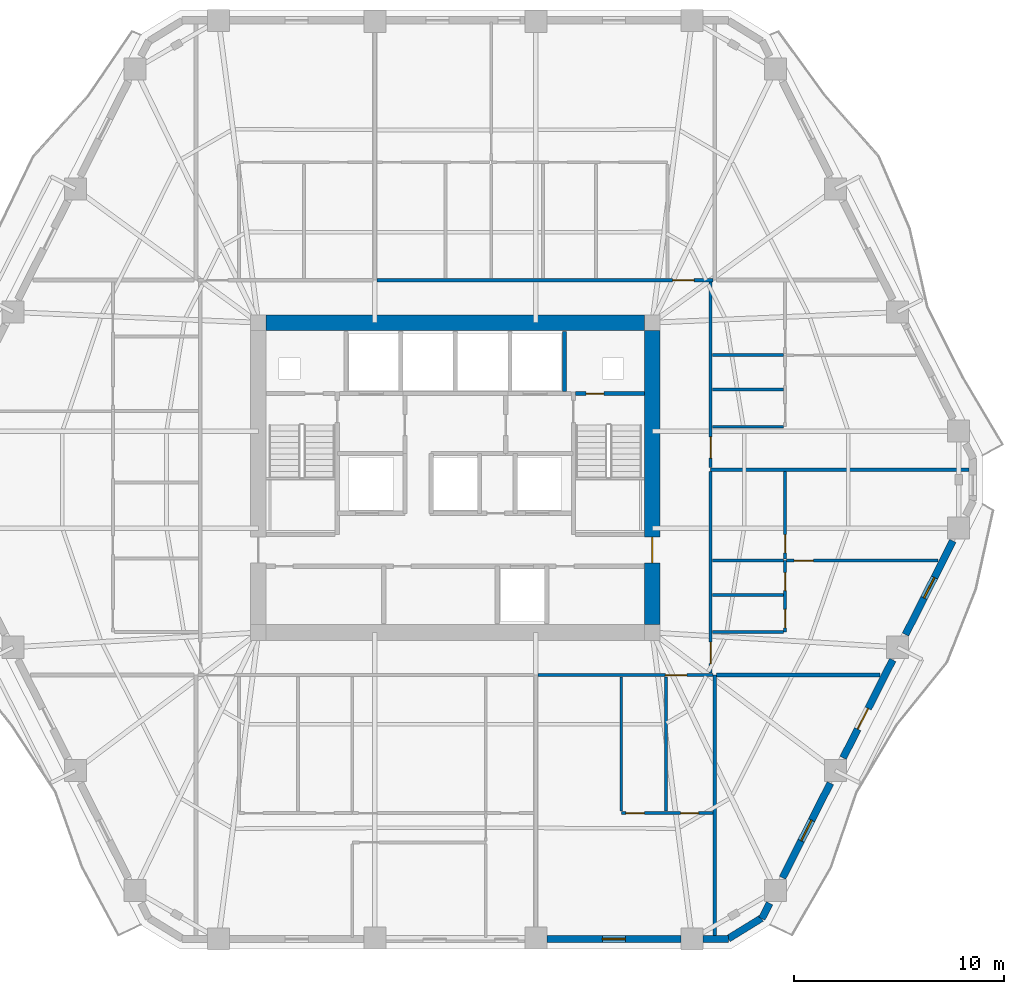
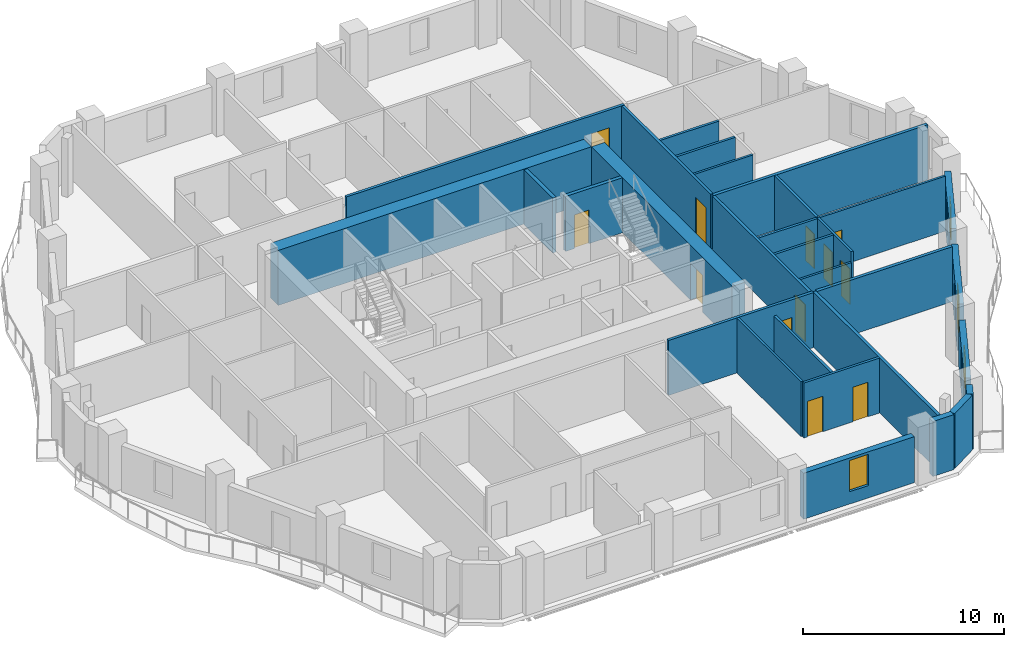
# One storey, part 6 of 11: 30 walls, 13 doors, 3 windows, 16 openings.
"""IFC4 building model written with IfcOpenShell, lengths in metres."""

import ifcopenshell
import ifcopenshell.guid

model = None  # the IFC model being written
_history = None  # IfcOwnerHistory: only IFC2X3 demands one
_inside = {}  # id of a spatial element -> (the spatial element, [elements in it])
_under = {}  # id of a project, library or spatial element -> (it, [spatial elements below it])
_declared = {}  # id of a project -> (the project, [libraries it declares])
_typed = {}  # id of a type object -> (the type object, [elements of that type])
_made_of = {}  # id of a material, layer set ... -> (it, [elements and type objects made of it])


def new_model(schema):
    """Start an empty IFC model of exactly this schema.

    Asked for "IFC4X3", IfcOpenShell would pick the latest addendum, in which some entities
    have other attributes; the version numbers below select the first issue.
    IFC2X3 requires an IfcOwnerHistory on every rooted entity: one is made here for all.
    """
    global model, _history
    if schema == "IFC4X3":
        model = ifcopenshell.file(schema_version=(4, 3, 0, 0))
    else:
        model = ifcopenshell.file(schema=schema)
    _inside.clear()
    _under.clear()
    _declared.clear()
    _typed.clear()
    _made_of.clear()
    _history = None
    if model.schema == "IFC2X3":
        org = make("IfcOrganization", Name="unknown")
        user = make(
            "IfcPersonAndOrganization",
            ThePerson=make("IfcPerson", FamilyName="unknown"),
            TheOrganization=org,
        )
        app = make(
            "IfcApplication",
            ApplicationDeveloper=org,
            Version="unknown",
            ApplicationFullName="unknown",
            ApplicationIdentifier="unknown",
        )
        _history = make(
            "IfcOwnerHistory",
            OwningUser=user,
            OwningApplication=app,
            ChangeAction="ADDED",
            CreationDate=0,
        )
    return model


def make(cls, **values):
    """One entity of the class cls with the attributes given. An attribute that is None is left unset."""
    return model.create_entity(
        cls, **{name: value for name, value in values.items() if value is not None}
    )


def rooted(cls, **values):
    """An entity with a GlobalId (a new one), such as an element, a storey or a relation."""
    return make(cls, GlobalId=ifcopenshell.guid.new(), OwnerHistory=_history, **values)


def si_unit(unit_type, name, prefix=None):
    """IfcSIUnit, for example si_unit("LENGTHUNIT", "METRE", prefix="MILLI")."""
    return make("IfcSIUnit", UnitType=unit_type, Prefix=prefix, Name=name)


def assignment(units):
    """IfcUnitAssignment: the units of a project."""
    return None if units is None else make("IfcUnitAssignment", Units=units)


def point(xyz):
    """IfcCartesianPoint."""
    return None if xyz is None else make("IfcCartesianPoint", Coordinates=xyz)


def direction(xyz):
    """IfcDirection."""
    return None if xyz is None else make("IfcDirection", DirectionRatios=xyz)


def frame(location, z_axis=None, x_axis=None):
    """IfcAxis2Placement3D, a coordinate frame: its origin and axes. An axis left out is left unset."""
    return make(
        "IfcAxis2Placement3D",
        Location=point(location),
        Axis=direction(z_axis),
        RefDirection=direction(x_axis),
    )


def frame_2d(location, x_axis=None):
    """IfcAxis2Placement2D, a coordinate frame in the plane: its origin and x axis."""
    return make(
        "IfcAxis2Placement2D", Location=point(location), RefDirection=direction(x_axis)
    )


def origin():
    """The frame at (0, 0, 0) with its axes left unset."""
    return frame((0.0, 0.0, 0.0))


def place(relative_to, where):
    """IfcLocalPlacement: puts the frame where relative to a parent placement (None: the world)."""
    return make(
        "IfcLocalPlacement", PlacementRelTo=relative_to, RelativePlacement=where
    )


def context(
    kind, dimensions, precision=None, world=None, true_north=None, identifier=None
):
    """IfcGeometricRepresentationContext, for example the 3D "Model" context."""
    return make(
        "IfcGeometricRepresentationContext",
        ContextIdentifier=identifier,
        ContextType=kind,
        CoordinateSpaceDimension=dimensions,
        Precision=precision,
        WorldCoordinateSystem=world,
        TrueNorth=true_north,
    )


def subcontext(parent, identifier, kind, view, scale=None):
    """IfcGeometricRepresentationSubContext, for example "Body" below "Model"."""
    return make(
        "IfcGeometricRepresentationSubContext",
        ContextIdentifier=identifier,
        ContextType=kind,
        ParentContext=parent,
        TargetScale=scale,
        TargetView=view,
    )


def project(units=None, contexts=None):
    """IfcProject with its units and contexts."""
    return rooted(
        "IfcProject",
        Name="project",
        RepresentationContexts=contexts,
        UnitsInContext=assignment(units),
    )


def spatial(cls, under=None, at=None, **own):
    """A site, building, storey or space (cls), placed at a placement, below another one or the project."""
    s = rooted(cls, ObjectPlacement=at, **own)
    if under is not None:
        _under.setdefault(under.id(), (under, []))[1].append(s)
    return s


def profile(cls, at=None, kind="AREA", **sizes):
    """A parametric profile (cls). Its sizes go by their IFC names, for example OverallWidth=200.0."""
    return make(cls, ProfileType=kind, Position=at, **sizes)


def rectangle(**sizes):
    """IfcRectangleProfileDef."""
    return profile("IfcRectangleProfileDef", **sizes)


def extrude(swept, where, along, depth):
    """IfcExtrudedAreaSolid: the profile swept, set in the frame where, extruded along a direction by depth."""
    return make(
        "IfcExtrudedAreaSolid",
        SweptArea=swept,
        Position=where,
        ExtrudedDirection=direction(along),
        Depth=depth,
    )


def shape(context_of_items, identifier, shape_type, items):
    """IfcShapeRepresentation: the items that make up one representation, for example the "Body"."""
    return make(
        "IfcShapeRepresentation",
        ContextOfItems=context_of_items,
        RepresentationIdentifier=identifier,
        RepresentationType=shape_type,
        Items=items,
    )


def material(Name=None, Category=None):
    """IfcMaterial."""
    return make("IfcMaterial", Name=Name, Category=Category)


def layer(
    of_material, thickness, ventilated=None, Name=None, Category=None, Priority=None
):
    """IfcMaterialLayer: one layer of a wall or slab, of a material (None: an air gap)."""
    return make(
        "IfcMaterialLayer",
        Material=of_material,
        LayerThickness=thickness,
        IsVentilated=ventilated,
        Name=Name,
        Category=Category,
        Priority=Priority,
    )


def layer_set(layers, Name=None):
    """IfcMaterialLayerSet."""
    return make("IfcMaterialLayerSet", MaterialLayers=layers, LayerSetName=Name)


def made_of(thing, what):
    """Note that an element or type object is made of a material, layer set ...; save() writes the relation."""
    if what is not None:
        _made_of.setdefault(what.id(), (what, []))[1].append(thing)
    return thing


def type_object(cls, material=None, **own):
    """A type object (cls), such as IfcWallType, which elements share."""
    return made_of(rooted(cls, **own), material)


def element(
    cls,
    number,
    at=None,
    inside=None,
    cuts=None,
    type_object=None,
    material=None,
    context=None,
    identifier="Body",
    shape_type=None,
    held_by="IfcProductDefinitionShape",
    body=None,
    shapes=None,
    **own,
):
    """One element of the class cls, such as IfcWall. Its Tag is "e" and its number.

    at: its placement. inside: the storey or other place that contains it. cuts: it is an
    opening in that element (IfcRelVoidsElement). A single representation is given by context,
    identifier, shape_type and body (its items); several are given by shapes. held_by: the class
    of the entity that holds the representations. save() writes the other relations.
    """
    e = rooted(cls, Tag="e%d" % number, ObjectPlacement=at, **own)
    if body is not None:
        shapes = [shape(context, identifier, shape_type, body)]
    if shapes is not None:
        e.Representation = make(held_by, Representations=shapes)
    if inside is not None:
        _inside.setdefault(inside.id(), (inside, []))[1].append(e)
    if cuts is not None:
        rooted(
            "IfcRelVoidsElement", RelatingBuildingElement=cuts, RelatedOpeningElement=e
        )
    if type_object is not None:
        _typed.setdefault(type_object.id(), (type_object, []))[1].append(e)
    return made_of(e, material)


def fill(opening, filler):
    """IfcRelFillsElement: the door or window that sits in an opening."""
    return rooted(
        "IfcRelFillsElement",
        RelatingOpeningElement=opening,
        RelatedBuildingElement=filler,
    )


def aggregate(whole, parts):
    """IfcRelAggregates: a whole, such as a stair, and the parts it consists of."""
    return rooted("IfcRelAggregates", RelatingObject=whole, RelatedObjects=parts)


def save(model, path):
    """Write the relations noted so far, then the file.

    IfcRelAggregates (storeys below a building ...), IfcRelContainedInSpatialStructure (elements
    in a storey), IfcRelDefinesByType, IfcRelAssociatesMaterial and IfcRelDeclares: one each for
    every whole, place, type object, material and project.
    """
    for whole, parts in _under.values():
        aggregate(whole, parts)
    for where, things in _inside.values():
        rooted(
            "IfcRelContainedInSpatialStructure",
            RelatedElements=things,
            RelatingStructure=where,
        )
    for kind, things in _typed.values():
        rooted("IfcRelDefinesByType", RelatedObjects=things, RelatingType=kind)
    for what, things in _made_of.values():
        rooted("IfcRelAssociatesMaterial", RelatedObjects=things, RelatingMaterial=what)
    for by, libraries in _declared.values():
        rooted("IfcRelDeclares", RelatingContext=by, RelatedDefinitions=libraries)
    model.write(path)


model = new_model("IFC4")

# Units and contexts
model_context = context("Model", 3, precision=1e-05, world=origin(), true_north=direction((0.0, 1.0)))
body_context = subcontext(model_context, "Body", "Model", "MODEL_VIEW")
ifc_project = project(units=[si_unit("LENGTHUNIT", "METRE"), si_unit("AREAUNIT", "SQUARE_METRE"), si_unit("VOLUMEUNIT", "CUBIC_METRE"), si_unit("PLANEANGLEUNIT", "RADIAN"), si_unit("MASSUNIT", "GRAM", prefix="KILO")], contexts=[model_context])

# Site, building, storey
site_placement = place(None, origin())
site = spatial("IfcSite", under=ifc_project, at=site_placement, CompositionType="ELEMENT")
building_placement = place(site_placement, origin())
building = spatial("IfcBuilding", under=site, at=building_placement, Name="Cinnabar Lancet Tower", CompositionType="ELEMENT")
storey_placement = place(building_placement, frame((0.0, 0.0, 101.949951171875)))
storey = spatial("IfcBuildingStorey", under=building, at=storey_placement, Name="L26", CompositionType="ELEMENT", Elevation=101.949951171875)

# Wall, opening, door
ifc_material_1 = material(Name="Acoustic twin-stud gypsum partition", Category="gypsum")
ifc_layer_1 = layer(ifc_material_1, 0.159912109375)
ifc_layer_set_1 = layer_set([ifc_layer_1], Name="Acoustic twin-stud gypsum partition")
wall_type_1 = type_object("IfcWallType", Name="ARC-WL-CORR-160", PredefinedType="PARTITIONING", material=ifc_layer_set_1)
wall_1_placement = place(storey_placement, frame((36.326904296875, 16.5, 0.0), z_axis=(0.0, 0.0, 1.0), x_axis=(1.0, 0.0, 0.0)))
wall_1 = element("IfcWall", 1, at=wall_1_placement, inside=storey, type_object=wall_type_1, Name="L26 Unit S02 Corridor Wall", PredefinedType="PARTITIONING", context=body_context, shape_type="SweptSolid", body=[
    extrude(rectangle(XDim=8.328125, YDim=0.159912109375, at=frame_2d((4.1640625, 0.0))), origin(), (0.0, 0.0, 1.0), 3.340087890625),
])
opening_1_placement = place(wall_1_placement, frame((6.072998046875, 0.0, 0.0)))
opening_1 = element("IfcOpeningElement", 2, at=opening_1_placement, cuts=wall_1, Name="Opening UD-01", PredefinedType="OPENING", context=body_context, shape_type="SweptSolid", body=[
    extrude(rectangle(XDim=1.02001953125, YDim=2.25, at=frame_2d((0.510009765625, 1.125))), frame((0.0, 0.08984375, 0.0), z_axis=(0.0, -1.0, 0.0), x_axis=(1.0, 0.0, 0.0)), (0.0, 0.0, 1.0), 0.179931640625),
])
ifc_material_2 = material(Name="Solid timber fire-rated apartment entrance door", Category="wood")
door_type_1 = type_object("IfcDoorType", Name="ARC-DR-UNIT", OperationType="NOTDEFINED", PredefinedType="DOOR", material=ifc_material_2)
door_1_placement = place(opening_1_placement, origin())
door_1 = element("IfcDoor", 3, at=door_1_placement, inside=storey, type_object=door_type_1, Name="DR-L26-S02-ENT", OperationType="SINGLE_SWING_RIGHT", OverallHeight=2.25, OverallWidth=1.02001953125, PredefinedType="DOOR", context=body_context, shape_type="SweptSolid", body=[
    extrude(rectangle(XDim=1.02001953125, YDim=2.25, at=frame_2d((0.510009765625, 1.125))), frame((0.0, 0.02490234375, 0.0), z_axis=(0.0, -1.0, 0.0), x_axis=(1.0, 0.0, 0.0)), (0.0, 0.0, 1.0), 0.050048828125),
])
fill(opening_1, door_1)

wall_2_placement = place(storey_placement, frame((28.6630859375, 35.300048828125, 0.0), z_axis=(0.0, 0.0, 1.0), x_axis=(1.0, 0.0, 0.0)))
wall_2 = element("IfcWall", 4, at=wall_2_placement, inside=storey, type_object=wall_type_1, Name="L26 Unit N02 Corridor Wall", PredefinedType="PARTITIONING", context=body_context, shape_type="SweptSolid", body=[
    extrude(rectangle(XDim=15.991943359375, YDim=0.159912109375, at=frame_2d((7.99609375, 0.0))), origin(), (0.0, 0.0, 1.0), 3.340087890625),
])
opening_2_placement = place(wall_2_placement, frame((14.0869140625, 0.0, 0.0)))
opening_2 = element("IfcOpeningElement", 5, at=opening_2_placement, cuts=wall_2, Name="Opening UD-01", PredefinedType="OPENING", context=body_context, shape_type="SweptSolid", body=[
    extrude(rectangle(XDim=1.02001953125, YDim=2.25, at=frame_2d((0.510009765625, 1.125))), frame((0.0, 0.08984375, 0.0), z_axis=(0.0, -1.0, 0.0), x_axis=(1.0, 0.0, 0.0)), (0.0, 0.0, 1.0), 0.179931640625),
])
door_2_placement = place(opening_2_placement, origin())
door_2 = element("IfcDoor", 6, at=door_2_placement, inside=storey, type_object=door_type_1, Name="DR-L26-N02-ENT", OperationType="SINGLE_SWING_LEFT", OverallHeight=2.25, OverallWidth=1.02001953125, PredefinedType="DOOR", context=body_context, shape_type="SweptSolid", body=[
    extrude(rectangle(XDim=1.02001953125, YDim=2.25, at=frame_2d((0.510009765625, 1.125))), frame((0.0, 0.02490234375, 0.0), z_axis=(0.0, -1.0, 0.0), x_axis=(1.0, 0.0, 0.0)), (0.0, 0.0, 1.0), 0.050048828125),
])
fill(opening_2, door_2)

wall_3_placement = place(storey_placement, frame((44.550048828125, 16.594970703125, 0.0), z_axis=(0.0, 0.0, 1.0), x_axis=(0.0, 1.0, 0.0)))
wall_3 = element("IfcWall", 7, at=wall_3_placement, inside=storey, type_object=wall_type_1, Name="UW-L26-E01-COR", PredefinedType="PARTITIONING", context=body_context, shape_type="SweptSolid", body=[
    extrude(rectangle(XDim=9.5859375, YDim=0.159912109375, at=frame_2d((4.79296875, 0.0))), origin(), (0.0, 0.0, 1.0), 3.340087890625),
])
opening_3_placement = place(wall_3_placement, frame((0.449951171875, 0.0, 0.0)))
opening_3 = element("IfcOpeningElement", 8, at=opening_3_placement, cuts=wall_3, Name="Opening UD-01", PredefinedType="OPENING", context=body_context, shape_type="SweptSolid", body=[
    extrude(rectangle(XDim=1.02001953125, YDim=2.25, at=frame_2d((0.510009765625, 1.125))), frame((0.0, 0.08984375, 0.0), z_axis=(0.0, -1.0, 0.0), x_axis=(1.0, 0.0, 0.0)), (0.0, 0.0, 1.0), 0.179931640625),
])
door_3_placement = place(opening_3_placement, origin())
door_3 = element("IfcDoor", 9, at=door_3_placement, inside=storey, type_object=door_type_1, Name="DR-L26-E01-ENT", OperationType="SINGLE_SWING_RIGHT", OverallHeight=2.25, OverallWidth=1.02001953125, PredefinedType="DOOR", context=body_context, shape_type="SweptSolid", body=[
    extrude(rectangle(XDim=1.02001953125, YDim=2.25, at=frame_2d((0.510009765625, 1.125))), frame((0.0, 0.02490234375, 0.0), z_axis=(0.0, -1.0, 0.0), x_axis=(1.0, 0.0, 0.0)), (0.0, 0.0, 1.0), 0.050048828125),
])
fill(opening_3, door_3)

wall_4_placement = place(storey_placement, frame((44.550048828125, 26.37109375, 0.0), z_axis=(0.0, 0.0, 1.0), x_axis=(0.0, 1.0, 0.0)))
wall_4 = element("IfcWall", 10, at=wall_4_placement, inside=storey, type_object=wall_type_1, Name="UW-L26-E02-COR", PredefinedType="PARTITIONING", context=body_context, shape_type="SweptSolid", body=[
    extrude(rectangle(XDim=8.833984375, YDim=0.159912109375, at=frame_2d((4.4169921875, 0.0))), origin(), (0.0, 0.0, 1.0), 3.340087890625),
])
opening_4_placement = place(wall_4_placement, frame((0.449951171875, 0.0, 0.0)))
opening_4 = element("IfcOpeningElement", 11, at=opening_4_placement, cuts=wall_4, Name="Opening UD-01", PredefinedType="OPENING", context=body_context, shape_type="SweptSolid", body=[
    extrude(rectangle(XDim=1.02001953125, YDim=2.25, at=frame_2d((0.510009765625, 1.125))), frame((0.0, 0.08984375, 0.0), z_axis=(0.0, -1.0, 0.0), x_axis=(1.0, 0.0, 0.0)), (0.0, 0.0, 1.0), 0.179931640625),
])
door_4_placement = place(opening_4_placement, origin())
door_4 = element("IfcDoor", 12, at=door_4_placement, inside=storey, type_object=door_type_1, Name="DR-L26-E02-ENT", OperationType="SINGLE_SWING_LEFT", OverallHeight=2.25, OverallWidth=1.02001953125, PredefinedType="DOOR", context=body_context, shape_type="SweptSolid", body=[
    extrude(rectangle(XDim=1.02001953125, YDim=2.25, at=frame_2d((0.510009765625, 1.125))), frame((0.0, 0.02490234375, 0.0), z_axis=(0.0, -1.0, 0.0), x_axis=(1.0, 0.0, 0.0)), (0.0, 0.0, 1.0), 0.050048828125),
])
fill(opening_4, door_4)

# Walls
ifc_material_3 = material(Name="Fire-rated twin-frame acoustic drywall", Category="gypsum")
ifc_layer_2 = layer(ifc_material_3, 0.179931640625)
ifc_layer_set_2 = layer_set([ifc_layer_2], Name="Fire-rated twin-frame acoustic drywall")
wall_type_2 = type_object("IfcWallType", Name="ARC-WL-PARTY-180", PredefinedType="PARTITIONING", material=ifc_layer_set_2)
wall_5_placement = place(storey_placement, frame((44.75, 4.10498046875, 0.0), z_axis=(0.0, 0.0, 1.0), x_axis=(0.0, 1.0, 0.0)))
element("IfcWall", 13, at=wall_5_placement, inside=storey, type_object=wall_type_2, Name="PW-L26-SPTY-448", PredefinedType="PARTITIONING", context=body_context, shape_type="SweptSolid", body=[
    extrude(rectangle(XDim=12.39501953125, YDim=0.179931640625, at=frame_2d((6.197509765625, 0.0))), origin(), (0.0, 0.0, 1.0), 3.340087890625),
])
wall_6_placement = place(storey_placement, frame((44.844970703125, 16.5, 0.0), z_axis=(0.0, 0.0, 1.0), x_axis=(1.0, 0.0, 0.0)))
element("IfcWall", 14, at=wall_6_placement, inside=storey, type_object=wall_type_2, Name="PW-L26-ESB", PredefinedType="PARTITIONING", context=body_context, shape_type="SweptSolid", body=[
    extrude(rectangle(XDim=7.77001953125, YDim=0.179931640625, at=frame_2d((3.885009765625, 0.0))), origin(), (0.0, 0.0, 1.0), 3.340087890625),
])
wall_7_placement = place(storey_placement, frame((44.550048828125, 26.27587890625, 0.0), z_axis=(0.0, 0.0, 1.0), x_axis=(1.0, 0.0, 0.0)))
element("IfcWall", 15, at=wall_7_placement, inside=storey, type_object=wall_type_2, Name="PW-L26-EPTY-1", PredefinedType="PARTITIONING", context=body_context, shape_type="SweptSolid", body=[
    extrude(rectangle(XDim=12.307861328125, YDim=0.179931640625, at=frame_2d((6.15380859375, 0.0))), origin(), (0.0, 0.0, 1.0), 3.340087890625),
])

# Wall, opening, door
ifc_material_4 = material(Name="Autoclaved aerated concrete blockwork", Category="masonry")
ifc_layer_3 = layer(ifc_material_4, 0.199951171875)
ifc_layer_set_3 = layer_set([ifc_layer_3], Name="Autoclaved aerated concrete blockwork")
wall_type_3 = type_object("IfcWallType", Name="ARC-WL-SHAFT-200", PredefinedType="PLUMBINGWALL", material=ifc_layer_set_3)
wall_8_placement = place(storey_placement, frame((38.125, 29.89990234375, 0.0), z_axis=(0.0, 0.0, 1.0), x_axis=(1.0, 0.0, 0.0)))
wall_8 = element("IfcWall", 16, at=wall_8_placement, inside=storey, type_object=wall_type_3, Name="CW-NSH-E-L26", PredefinedType="PLUMBINGWALL", context=body_context, shape_type="SweptSolid", body=[
    extrude(rectangle(XDim=3.27001953125, YDim=0.199951171875, at=frame_2d((1.635009765625, 0.0))), origin(), (0.0, 0.0, 1.0), 3.340087890625),
])
opening_5_placement = place(wall_8_placement, frame((0.5, 0.0, 0.0)))
opening_5 = element("IfcOpeningElement", 17, at=opening_5_placement, cuts=wall_8, Name="Opening PD-02", PredefinedType="OPENING", context=body_context, shape_type="SweptSolid", body=[
    extrude(rectangle(XDim=0.85009765625, YDim=2.050048828125, at=frame_2d((0.425048828125, 1.02490234375))), frame((0.0, 0.10986328125, 0.0), z_axis=(0.0, -1.0, 0.0), x_axis=(1.0, 0.0, 0.0)), (0.0, 0.0, 1.0), 0.219970703125),
])
ifc_material_5 = material(Name="Fire-rated steel riser access door", Category="steel")
door_type_2 = type_object("IfcDoorType", Name="ARC-DR-RISER", OperationType="NOTDEFINED", PredefinedType="DOOR", material=ifc_material_5)
door_5_placement = place(opening_5_placement, origin())
door_5 = element("IfcDoor", 18, at=door_5_placement, inside=storey, type_object=door_type_2, Name="L26 East Riser Access Door", OperationType="SINGLE_SWING_RIGHT", OverallHeight=2.050048828125, OverallWidth=0.85009765625, PredefinedType="DOOR", context=body_context, shape_type="SweptSolid", body=[
    extrude(rectangle(XDim=0.85009765625, YDim=2.050048828125, at=frame_2d((0.425048828125, 1.02490234375))), frame((0.0, 0.02490234375, 0.0), z_axis=(0.0, -1.0, 0.0), x_axis=(1.0, 0.0, 0.0)), (0.0, 0.0, 1.0), 0.050048828125),
])
fill(opening_5, door_5)

# Walls
wall_9_placement = place(storey_placement, frame((37.60009765625, 30.0, 0.0), z_axis=(0.0, 0.0, 1.0), x_axis=(0.0, 1.0, 0.0)))
element("IfcWall", 19, at=wall_9_placement, inside=storey, type_object=wall_type_3, Name="CW-NSH-D5-L26", PredefinedType="PLUMBINGWALL", context=body_context, shape_type="SweptSolid", body=[
    extrude(rectangle(XDim=2.85009765625, YDim=0.199951171875, at=frame_2d((1.425048828125, 0.0))), origin(), (0.0, 0.0, 1.0), 3.340087890625),
])
ifc_material_6 = material(Name="Gypsum plasterboard stud partition", Category="gypsum")
ifc_layer_4 = layer(ifc_material_6, 0.125)
ifc_layer_set_4 = layer_set([ifc_layer_4], Name="Gypsum plasterboard stud partition")
wall_type_4 = type_object("IfcWallType", Name="ARC-WL-UNIT-125", PredefinedType="PARTITIONING", material=ifc_layer_set_4)
wall_10_placement = place(storey_placement, frame((40.300048828125, 10.035888671875, 0.0), z_axis=(0.0, 0.0, 1.0), x_axis=(0.0, 1.0, 0.0)))
element("IfcWall", 20, at=wall_10_placement, inside=storey, type_object=wall_type_4, Name="UW-L26-S02-FOYE", PredefinedType="PARTITIONING", context=body_context, shape_type="SweptSolid", body=[
    extrude(rectangle(XDim=6.379150390625, YDim=0.125, at=frame_2d((3.189453125, 0.0))), origin(), (0.0, 0.0, 1.0), 3.340087890625),
])
wall_11_placement = place(storey_placement, frame((44.635009765625, 18.550048828125, 0.0), z_axis=(0.0, 0.0, 1.0), x_axis=(1.0, 0.0, 0.0)))
element("IfcWall", 21, at=wall_11_placement, inside=storey, type_object=wall_type_4, Name="UW-L26-E01-FOYN", PredefinedType="PARTITIONING", context=body_context, shape_type="SweptSolid", body=[
    extrude(rectangle(XDim=3.3798828125, YDim=0.125, at=frame_2d((1.68994140625, 0.0))), origin(), (0.0, 0.0, 1.0), 2.72216796875),
])

# Wall, opening, door
wall_12_placement = place(storey_placement, frame((48.175048828125, 21.949951171875, 0.0), z_axis=(0.0, 0.0, 1.0), x_axis=(1.0, 0.0, 0.0)))
wall_12 = element("IfcWall", 22, at=wall_12_placement, inside=storey, type_object=wall_type_4, Name="UW-L26-E01-MBN", PredefinedType="PARTITIONING", context=body_context, shape_type="SweptSolid", body=[
    extrude(rectangle(XDim=7.212890625, YDim=0.125, at=frame_2d((3.6064453125, 0.0))), origin(), (0.0, 0.0, 1.0), 3.340087890625),
])
opening_6_placement = place(wall_12_placement, frame((0.35009765625, 0.0, 0.0)))
opening_6 = element("IfcOpeningElement", 23, at=opening_6_placement, cuts=wall_12, Name="Opening RD-01", PredefinedType="OPENING", context=body_context, shape_type="SweptSolid", body=[
    extrude(rectangle(XDim=0.919921875, YDim=2.14990234375, at=frame_2d((0.4599609375, 1.074951171875))), frame((0.0, 0.072509765625, 0.0), z_axis=(0.0, -1.0, 0.0), x_axis=(1.0, 0.0, 0.0)), (0.0, 0.0, 1.0), 0.14501953125),
])
ifc_material_7 = material(Name="Engineered timber bedroom door", Category="wood")
door_type_3 = type_object("IfcDoorType", Name="ARC-DR-ROOM", OperationType="NOTDEFINED", PredefinedType="DOOR", material=ifc_material_7)
door_6_placement = place(opening_6_placement, origin())
door_6 = element("IfcDoor", 24, at=door_6_placement, inside=storey, type_object=door_type_3, Name="DR-L26-E01-MBD", OperationType="SINGLE_SWING_RIGHT", OverallHeight=2.14990234375, OverallWidth=0.919921875, PredefinedType="DOOR", context=body_context, shape_type="SweptSolid", body=[
    extrude(rectangle(XDim=0.919921875, YDim=2.14990234375, at=frame_2d((0.4599609375, 1.074951171875))), frame((0.0, 0.02490234375, 0.0), z_axis=(0.0, -1.0, 0.0), x_axis=(1.0, 0.0, 0.0)), (0.0, 0.0, 1.0), 0.050048828125),
])
fill(opening_6, door_6)

# Wall
wall_13_placement = place(storey_placement, frame((44.635009765625, 28.325927734375, 0.0), z_axis=(0.0, 0.0, 1.0), x_axis=(1.0, 0.0, 0.0)))
element("IfcWall", 25, at=wall_13_placement, inside=storey, type_object=wall_type_4, Name="UW-L26-E02-FOYN", PredefinedType="PARTITIONING", context=body_context, shape_type="SweptSolid", body=[
    extrude(rectangle(XDim=3.3798828125, YDim=0.125, at=frame_2d((1.68994140625, 0.0))), origin(), (0.0, 0.0, 1.0), 3.340087890625),
])

# Wall, openings, doors
ifc_material_8 = material(Name="Moisture-resistant cement-board plumbing wall", Category="masonry")
ifc_layer_5 = layer(ifc_material_8, 0.139892578125)
ifc_layer_set_5 = layer_set([ifc_layer_5], Name="Moisture-resistant cement-board plumbing wall")
wall_type_5 = type_object("IfcWallType", Name="ARC-WL-WET-140", PredefinedType="PLUMBINGWALL", material=ifc_layer_set_5)
wall_14_placement = place(storey_placement, frame((40.300048828125, 9.930908203125, 0.0), z_axis=(0.0, 0.0, 1.0), x_axis=(1.0, 0.0, 0.0)))
wall_14 = element("IfcWall", 26, at=wall_14_placement, inside=storey, type_object=wall_type_5, Name="UW-L26-S02-SPL", PredefinedType="PLUMBINGWALL", context=body_context, shape_type="SweptSolid", body=[
    extrude(rectangle(XDim=4.35498046875, YDim=0.139892578125, at=frame_2d((2.177490234375, 0.0))), origin(), (0.0, 0.0, 1.0), 3.340087890625),
])
opening_7_placement = place(wall_14_placement, frame((2.821044921875, 0.0, 0.0)))
opening_7 = element("IfcOpeningElement", 27, at=opening_7_placement, cuts=wall_14, Name="Opening BD-01", PredefinedType="OPENING", context=body_context, shape_type="SweptSolid", body=[
    extrude(rectangle(XDim=0.860107421875, YDim=2.10009765625, at=frame_2d((0.43017578125, 1.050048828125))), frame((0.0, 0.079833984375, 0.0), z_axis=(0.0, -1.0, 0.0), x_axis=(1.0, 0.0, 0.0)), (0.0, 0.0, 1.0), 0.159912109375),
])
opening_8_placement = place(wall_14_placement, frame((0.219970703125, 0.0, 0.0)))
opening_8 = element("IfcOpeningElement", 28, at=opening_8_placement, cuts=wall_14, Name="Opening RD-02", PredefinedType="OPENING", context=body_context, shape_type="SweptSolid", body=[
    extrude(rectangle(XDim=0.8798828125, YDim=2.14990234375, at=frame_2d((0.43994140625, 1.074951171875))), frame((0.0, 0.079833984375, 0.0), z_axis=(0.0, -1.0, 0.0), x_axis=(1.0, 0.0, 0.0)), (0.0, 0.0, 1.0), 0.159912109375),
])
ifc_material_9 = material(Name="Moisture-resistant timber bathroom door", Category="wood")
door_type_4 = type_object("IfcDoorType", Name="ARC-DR-BATH", OperationType="NOTDEFINED", PredefinedType="DOOR", material=ifc_material_9)
door_7_placement = place(opening_7_placement, origin())
door_7 = element("IfcDoor", 29, at=door_7_placement, inside=storey, type_object=door_type_4, Name="DR-L26-S02-BTH", OperationType="SINGLE_SWING_RIGHT", OverallHeight=2.10009765625, OverallWidth=0.860107421875, PredefinedType="DOOR", context=body_context, shape_type="SweptSolid", body=[
    extrude(rectangle(XDim=0.860107421875, YDim=2.10009765625, at=frame_2d((0.43017578125, 1.050048828125))), frame((0.0, 0.02490234375, 0.0), z_axis=(0.0, -1.0, 0.0), x_axis=(1.0, 0.0, 0.0)), (0.0, 0.0, 1.0), 0.050048828125),
])
fill(opening_7, door_7)
ifc_material_10 = material(Name="Engineered timber study door", Category="wood")
door_type_5 = type_object("IfcDoorType", Name="ARC-DR-STUDY", OperationType="NOTDEFINED", PredefinedType="DOOR", material=ifc_material_10)
door_8_placement = place(opening_8_placement, origin())
door_8 = element("IfcDoor", 30, at=door_8_placement, inside=storey, type_object=door_type_5, Name="DR-L26-S02-KIT", OperationType="SINGLE_SWING_LEFT", OverallHeight=2.14990234375, OverallWidth=0.8798828125, PredefinedType="DOOR", context=body_context, shape_type="SweptSolid", body=[
    extrude(rectangle(XDim=0.8798828125, YDim=2.14990234375, at=frame_2d((0.43994140625, 1.074951171875))), frame((0.0, 0.02490234375, 0.0), z_axis=(0.0, -1.0, 0.0), x_axis=(1.0, 0.0, 0.0)), (0.0, 0.0, 1.0), 0.050048828125),
])
fill(opening_8, door_8)

# Wall
wall_15_placement = place(storey_placement, frame((42.43603515625, 10.035888671875, 0.0), z_axis=(0.0, 0.0, 1.0), x_axis=(0.0, 1.0, 0.0)))
element("IfcWall", 31, at=wall_15_placement, inside=storey, type_object=wall_type_5, Name="UW-L26-S02-KDV", PredefinedType="PLUMBINGWALL", context=body_context, shape_type="SweptSolid", body=[
    extrude(rectangle(XDim=6.379150390625, YDim=0.139892578125, at=frame_2d((3.189453125, 0.0))), origin(), (0.0, 0.0, 1.0), 2.72216796875),
])

# Wall, openings, doors
wall_16_placement = place(storey_placement, frame((48.10009765625, 18.550048828125, 0.0), z_axis=(0.0, 0.0, 1.0), x_axis=(0.0, 1.0, 0.0)))
wall_16 = element("IfcWall", 32, at=wall_16_placement, inside=storey, type_object=wall_type_5, Name="UW-L26-E01-SPL", PredefinedType="PLUMBINGWALL", context=body_context, shape_type="SweptSolid", body=[
    extrude(rectangle(XDim=3.39990234375, YDim=0.139892578125, at=frame_2d((1.699951171875, 0.0))), origin(), (0.0, 0.0, 1.0), 3.340087890625),
])
opening_9_placement = place(wall_16_placement, frame((0.199951171875, 0.0, 0.0)))
opening_9 = element("IfcOpeningElement", 33, at=opening_9_placement, cuts=wall_16, Name="Opening RD-02", PredefinedType="OPENING", context=body_context, shape_type="SweptSolid", body=[
    extrude(rectangle(XDim=0.8798828125, YDim=2.14990234375, at=frame_2d((0.43994140625, 1.074951171875))), frame((0.0, 0.079833984375, 0.0), z_axis=(0.0, -1.0, 0.0), x_axis=(1.0, 0.0, 0.0)), (0.0, 0.0, 1.0), 0.159912109375),
])
opening_10_placement = place(wall_16_placement, frame((1.968017578125, 0.0, 0.0)))
opening_10 = element("IfcOpeningElement", 34, at=opening_10_placement, cuts=wall_16, Name="Opening BD-01", PredefinedType="OPENING", context=body_context, shape_type="SweptSolid", body=[
    extrude(rectangle(XDim=0.860107421875, YDim=2.10009765625, at=frame_2d((0.43017578125, 1.050048828125))), frame((0.0, 0.079833984375, 0.0), z_axis=(0.0, -1.0, 0.0), x_axis=(1.0, 0.0, 0.0)), (0.0, 0.0, 1.0), 0.159912109375),
])
door_9_placement = place(opening_10_placement, origin())
door_9 = element("IfcDoor", 35, at=door_9_placement, inside=storey, type_object=door_type_4, Name="DR-L26-E01-BTH", OperationType="SINGLE_SWING_RIGHT", OverallHeight=2.10009765625, OverallWidth=0.860107421875, PredefinedType="DOOR", context=body_context, shape_type="SweptSolid", body=[
    extrude(rectangle(XDim=0.860107421875, YDim=2.10009765625, at=frame_2d((0.43017578125, 1.050048828125))), frame((0.0, 0.02490234375, 0.0), z_axis=(0.0, -1.0, 0.0), x_axis=(1.0, 0.0, 0.0)), (0.0, 0.0, 1.0), 0.050048828125),
])
fill(opening_10, door_9)
door_10_placement = place(opening_9_placement, origin())
door_10 = element("IfcDoor", 36, at=door_10_placement, inside=storey, type_object=door_type_5, Name="DR-L26-E01-KIT", OperationType="SINGLE_SWING_LEFT", OverallHeight=2.14990234375, OverallWidth=0.8798828125, PredefinedType="DOOR", context=body_context, shape_type="SweptSolid", body=[
    extrude(rectangle(XDim=0.8798828125, YDim=2.14990234375, at=frame_2d((0.43994140625, 1.074951171875))), frame((0.0, 0.02490234375, 0.0), z_axis=(0.0, -1.0, 0.0), x_axis=(1.0, 0.0, 0.0)), (0.0, 0.0, 1.0), 0.050048828125),
])
fill(opening_9, door_10)

# Wall, opening, door
wall_17_placement = place(storey_placement, frame((48.10009765625, 22.02001953125, 0.0), z_axis=(0.0, 0.0, 1.0), x_axis=(0.0, 1.0, 0.0)))
wall_17 = element("IfcWall", 37, at=wall_17_placement, inside=storey, type_object=wall_type_5, Name="UW-L26-E01-SPM", PredefinedType="PLUMBINGWALL", context=body_context, shape_type="SweptSolid", body=[
    extrude(rectangle(XDim=4.160888671875, YDim=0.139892578125, at=frame_2d((2.08056640625, 0.0))), origin(), (0.0, 0.0, 1.0), 3.340087890625),
])
opening_11_placement = place(wall_17_placement, frame((0.300048828125, 0.0, 0.0)))
opening_11 = element("IfcOpeningElement", 38, at=opening_11_placement, cuts=wall_17, Name="Opening BD-01", PredefinedType="OPENING", context=body_context, shape_type="SweptSolid", body=[
    extrude(rectangle(XDim=0.860107421875, YDim=2.10009765625, at=frame_2d((0.43017578125, 1.050048828125))), frame((0.0, 0.079833984375, 0.0), z_axis=(0.0, -1.0, 0.0), x_axis=(1.0, 0.0, 0.0)), (0.0, 0.0, 1.0), 0.159912109375),
])
door_11_placement = place(opening_11_placement, origin())
door_11 = element("IfcDoor", 39, at=door_11_placement, inside=storey, type_object=door_type_4, Name="DR-L26-E01-ENS", OperationType="SINGLE_SWING_RIGHT", OverallHeight=2.10009765625, OverallWidth=0.860107421875, PredefinedType="DOOR", context=body_context, shape_type="SweptSolid", body=[
    extrude(rectangle(XDim=0.860107421875, YDim=2.10009765625, at=frame_2d((0.43017578125, 1.050048828125))), frame((0.0, 0.02490234375, 0.0), z_axis=(0.0, -1.0, 0.0), x_axis=(1.0, 0.0, 0.0)), (0.0, 0.0, 1.0), 0.050048828125),
])
fill(opening_11, door_11)

# Walls
for number, where, z_axis, x_axis, name in (
    (40, (44.635009765625, 21.949951171875, 0.0), (0.0, 0.0, 1.0), (1.0, 0.0, 0.0), "UW-L26-E01-ENSN"),
    (41, (44.635009765625, 20.318115234375, 0.0), (0.0, 0.0, 1.0), (1.0, 0.0, 0.0), "UW-L26-E01-KDV"),
    (42, (44.635009765625, 31.72607421875, 0.0), (0.0, 0.0, 1.0), (1.0, 0.0, 0.0), "UW-L26-E02-ENSN"),
    (43, (44.635009765625, 30.093994140625, 0.0), (0.0, 0.0, 1.0), (1.0, 0.0, 0.0), "UW-L26-E02-KDV"),
):
    element("IfcWall", number, at=place(storey_placement, frame(where, z_axis=z_axis, x_axis=x_axis)), inside=storey, type_object=wall_type_5, Name=name, PredefinedType="PLUMBINGWALL", context=body_context, shape_type="SweptSolid", body=[
        extrude(rectangle(XDim=3.3798828125, YDim=0.139892578125, at=frame_2d((1.68994140625, 0.0))), origin(), (0.0, 0.0, 1.0), 3.340087890625),
    ])
ifc_material_11 = material(Name="Cinnabar red clay brick", Category="masonry")
ifc_layer_6 = layer(ifc_material_11, 0.340087890625)
ifc_layer_set_6 = layer_set([ifc_layer_6], Name="Cinnabar red clay brick")
wall_type_6 = type_object("IfcWallType", Name="ENV-WL-BRK-RED-340", PredefinedType="STANDARD", material=ifc_layer_set_6)
wall_18_placement = place(storey_placement, frame((45.39697265625, 3.955078125, 0.0), z_axis=(0.0, 0.0, 1.0), x_axis=(0.851798915137, 0.523868884523, 0.0)))
element("IfcWall", 44, at=wall_18_placement, inside=storey, type_object=wall_type_6, Name="L26 Chamfered Corner Brick Pier 2.1", PredefinedType="STANDARD", context=body_context, shape_type="SweptSolid", body=[
    extrude(rectangle(XDim=1.847900390625, YDim=0.340087890625, at=frame_2d((0.923828125, 0.0))), origin(), (0.0, 0.0, 1.0), 3.340087890625),
])

# Wall, opening, window
wall_19_placement = place(storey_placement, frame((36.760986328125, 3.929931640625, 0.0), z_axis=(0.0, 0.0, 1.0), x_axis=(1.0, 0.0, 0.0)))
wall_19 = element("IfcWall", 45, at=wall_19_placement, inside=storey, type_object=wall_type_6, Name="L26 Face 1 Masonry Bay Wall 4", PredefinedType="STANDARD", context=body_context, shape_type="SweptSolid", body=[
    extrude(rectangle(XDim=6.37890625, YDim=0.340087890625, at=frame_2d((3.189453125, 0.0))), origin(), (0.0, 0.0, 1.0), 2.797119140625),
])
opening_12_placement = place(wall_19_placement, frame((2.638916015625, 0.0, 0.75)))
opening_12 = element("IfcOpeningElement", 46, at=opening_12_placement, cuts=wall_19, Name="Opening WN-04", PredefinedType="OPENING", context=body_context, shape_type="SweptSolid", body=[
    extrude(rectangle(XDim=1.10009765625, YDim=1.89697265625, at=frame_2d((0.550048828125, 0.948486328125))), frame((0.0, 0.179931640625, 0.0), z_axis=(0.0, -1.0, 0.0), x_axis=(1.0, 0.0, 0.0)), (0.0, 0.0, 1.0), 0.360107421875),
])
ifc_material_12 = material(Name="Thermally broken bronze-anodized aluminium tall lancet window", Category="aluminium")
window_type = type_object("IfcWindowType", Name="ENV-WN-LANCET-1100", PartitioningType="SINGLE_PANEL", PredefinedType="WINDOW", material=ifc_material_12)
window_1_placement = place(opening_12_placement, origin())
window_1 = element("IfcWindow", 47, at=window_1_placement, inside=storey, type_object=window_type, Name="L26 Face 1 Gothic Lancet Window 4", OverallHeight=1.89697265625, OverallWidth=1.10009765625, PartitioningType="SINGLE_PANEL", PredefinedType="WINDOW", context=body_context, shape_type="SweptSolid", body=[
    extrude(rectangle(XDim=1.10009765625, YDim=1.89697265625, at=frame_2d((0.550048828125, 0.948486328125))), frame((0.0, 0.030029296875, 0.0), z_axis=(0.0, -1.0, 0.0), x_axis=(1.0, 0.0, 0.0)), (0.0, 0.0, 1.0), 0.06005859375),
])
fill(opening_12, window_1)

# Walls
wall_20_placement = place(storey_placement, frame((44.197998046875, 3.929931640625, 0.0), z_axis=(0.0, 0.0, 1.0), x_axis=(1.0, 0.0, 0.0)))
element("IfcWall", 48, at=wall_20_placement, inside=storey, type_object=wall_type_6, Name="L26 Face 1 Masonry Bay Wall 5", PredefinedType="STANDARD", context=body_context, shape_type="SweptSolid", body=[
    extrude(rectangle(XDim=1.2041015625, YDim=0.340087890625, at=frame_2d((0.60205078125, 0.0))), origin(), (0.0, 0.0, 1.0), 3.340087890625),
])
wall_21_placement = place(storey_placement, frame((46.990966796875, 4.906982421875, 0.0), z_axis=(0.0, 0.0, 1.0), x_axis=(0.45172514337, 0.892157158155, 0.0)))
element("IfcWall", 49, at=wall_21_placement, inside=storey, type_object=wall_type_6, Name="L26 Face 2 Masonry Bay Wall 1", PredefinedType="STANDARD", context=body_context, shape_type="SweptSolid", body=[
    extrude(rectangle(XDim=0.821533203125, YDim=0.340087890625, at=frame_2d((0.41064453125, 0.0))), origin(), (0.0, 0.0, 1.0), 3.340087890625),
])

# Wall, opening, window
wall_22_placement = place(storey_placement, frame((47.97509765625, 6.85205078125, 0.0), z_axis=(0.0, 0.0, 1.0), x_axis=(0.451548465867, 0.892246593142, 0.0)))
wall_22 = element("IfcWall", 50, at=wall_22_placement, inside=storey, type_object=wall_type_6, Name="L26 Face 2 Masonry Bay Wall 2", PredefinedType="STANDARD", context=body_context, shape_type="SweptSolid", body=[
    extrude(rectangle(XDim=5.040283203125, YDim=0.340087890625, at=frame_2d((2.52001953125, 0.0))), origin(), (0.0, 0.0, 1.0), 2.797119140625),
])
opening_13_placement = place(wall_22_placement, frame((1.969970703125, 0.0, 0.75)))
opening_13 = element("IfcOpeningElement", 51, at=opening_13_placement, cuts=wall_22, Name="Opening WN-04", PredefinedType="OPENING", context=body_context, shape_type="SweptSolid", body=[
    extrude(rectangle(XDim=1.10009765625, YDim=1.89697265625, at=frame_2d((0.550048828125, 0.948486328125))), frame((0.0, 0.179931640625, 0.0), z_axis=(0.0, -1.0, 0.0), x_axis=(1.0, 0.0, 0.0)), (0.0, 0.0, 1.0), 0.360107421875),
])
window_2_placement = place(opening_13_placement, origin())
window_2 = element("IfcWindow", 52, at=window_2_placement, inside=storey, type_object=window_type, Name="L26 Face 2 Gothic Lancet Window 2", OverallHeight=1.89697265625, OverallWidth=1.10009765625, PartitioningType="SINGLE_PANEL", PredefinedType="WINDOW", context=body_context, shape_type="SweptSolid", body=[
    extrude(rectangle(XDim=1.10009765625, YDim=1.89697265625, at=frame_2d((0.550048828125, 0.948486328125))), frame((0.0, 0.030029296875, 0.0), z_axis=(0.0, -1.0, 0.0), x_axis=(1.0, 0.0, 0.0)), (0.0, 0.0, 1.0), 0.06005859375),
])
fill(opening_13, window_2)

# Wall, opening, door
wall_23_placement = place(storey_placement, frame((50.863037109375, 12.56103515625, 0.0), z_axis=(0.0, 0.0, 1.0), x_axis=(0.451567731634, 0.892236842855, 0.0)))
wall_23 = element("IfcWall", 53, at=wall_23_placement, inside=storey, type_object=wall_type_6, Name="L26 Face 2 Masonry Bay Wall 3", PredefinedType="STANDARD", context=body_context, shape_type="SweptSolid", body=[
    extrude(rectangle(XDim=5.219482421875, YDim=0.340087890625, at=frame_2d((2.60986328125, 0.0))), origin(), (0.0, 0.0, 1.0), 2.797119140625),
])
opening_14_placement = place(wall_23_placement, frame((1.531982421875, 0.0, 0.0)))
opening_14 = element("IfcOpeningElement", 54, at=opening_14_placement, cuts=wall_23, Name="Opening TD-01", PredefinedType="OPENING", context=body_context, shape_type="SweptSolid", body=[
    extrude(rectangle(XDim=1.10009765625, YDim=2.25, at=frame_2d((0.550048828125, 1.125))), frame((0.0, 0.179931640625, 0.0), z_axis=(0.0, -1.0, 0.0), x_axis=(1.0, 0.0, 0.0)), (0.0, 0.0, 1.0), 0.360107421875),
])
ifc_material_13 = material(Name="Thermally broken low-E glazed balcony terrace door", Category="wood")
door_type_6 = type_object("IfcDoorType", Name="ARC-DR-BALC", OperationType="NOTDEFINED", PredefinedType="DOOR", material=ifc_material_13)
door_12_placement = place(opening_14_placement, origin())
door_12 = element("IfcDoor", 55, at=door_12_placement, inside=storey, type_object=door_type_6, Name="L26 Face 2 Glazed Terrace Door", OperationType="SINGLE_SWING_LEFT", OverallHeight=2.25, OverallWidth=1.10009765625, PredefinedType="DOOR", context=body_context, shape_type="SweptSolid", body=[
    extrude(rectangle(XDim=1.10009765625, YDim=2.25, at=frame_2d((0.550048828125, 1.125))), frame((0.0, 0.02490234375, 0.0), z_axis=(0.0, -1.0, 0.0), x_axis=(1.0, 0.0, 0.0)), (0.0, 0.0, 1.0), 0.050048828125),
])
fill(opening_14, door_12)

# Wall, opening, window
wall_24_placement = place(storey_placement, frame((53.83203125, 18.427978515625, 0.0), z_axis=(0.0, 0.0, 1.0), x_axis=(0.451431617681, 0.892305718102, 0.0)))
wall_24 = element("IfcWall", 56, at=wall_24_placement, inside=storey, type_object=wall_type_6, Name="L26 Face 2 Masonry Bay Wall 4", PredefinedType="STANDARD", context=body_context, shape_type="SweptSolid", body=[
    extrude(rectangle(XDim=4.994873046875, YDim=0.340087890625, at=frame_2d((2.49755859375, 0.0))), origin(), (0.0, 0.0, 1.0), 2.797119140625),
])
opening_15_placement = place(wall_24_placement, frame((1.947021484375, 0.0, 0.75)))
opening_15 = element("IfcOpeningElement", 57, at=opening_15_placement, cuts=wall_24, Name="Opening WN-04", PredefinedType="OPENING", context=body_context, shape_type="SweptSolid", body=[
    extrude(rectangle(XDim=1.10009765625, YDim=1.89697265625, at=frame_2d((0.550048828125, 0.948486328125))), frame((0.0, 0.179931640625, 0.0), z_axis=(0.0, -1.0, 0.0), x_axis=(1.0, 0.0, 0.0)), (0.0, 0.0, 1.0), 0.360107421875),
])
window_3_placement = place(opening_15_placement, origin())
window_3 = element("IfcWindow", 58, at=window_3_placement, inside=storey, type_object=window_type, Name="L26 Face 2 Gothic Lancet Window 4", OverallHeight=1.89697265625, OverallWidth=1.10009765625, PartitioningType="SINGLE_PANEL", PredefinedType="WINDOW", context=body_context, shape_type="SweptSolid", body=[
    extrude(rectangle(XDim=1.10009765625, YDim=1.89697265625, at=frame_2d((0.550048828125, 0.948486328125))), frame((0.0, 0.030029296875, 0.0), z_axis=(0.0, -1.0, 0.0), x_axis=(1.0, 0.0, 0.0)), (0.0, 0.0, 1.0), 0.06005859375),
])
fill(opening_15, window_3)

# Wall
ifc_material_14 = material(Name="Concrete C70/85", Category="concrete")
ifc_layer_7 = layer(ifc_material_14, 0.75)
ifc_layer_set_7 = layer_set([ifc_layer_7], Name="Concrete C70/85")
wall_type_7 = type_object("IfcWallType", Name="STR-WL-CORE-750", PredefinedType="SHEAR", material=ifc_layer_set_7)
wall_25_placement = place(storey_placement, frame((23.39990234375, 33.27490234375, 0.0), z_axis=(0.0, 0.0, 1.0), x_axis=(1.0, 0.0, 0.0)))
element("IfcWall", 59, at=wall_25_placement, inside=storey, type_object=wall_type_7, Name="L26 Core Shear Wall N", PredefinedType="SHEAR", context=body_context, shape_type="SweptSolid", body=[
    extrude(rectangle(XDim=18.0, YDim=0.75, at=frame_2d((9.0, 0.0))), origin(), (0.0, 0.0, 1.0), 3.340087890625),
])

# Wall, opening, door
wall_26_placement = place(storey_placement, frame((41.77490234375, 18.89990234375, 0.0), z_axis=(0.0, 0.0, 1.0), x_axis=(0.0, 1.0, 0.0)))
wall_26 = element("IfcWall", 60, at=wall_26_placement, inside=storey, type_object=wall_type_7, Name="L26 Core Shear Wall E", PredefinedType="SHEAR", context=body_context, shape_type="SweptSolid", body=[
    extrude(rectangle(XDim=14.0, YDim=0.75, at=frame_2d((7.0, 0.0))), origin(), (0.0, 0.0, 1.0), 3.340087890625),
])
opening_16_placement = place(wall_26_placement, frame((2.93994140625, 0.0, 0.0)))
opening_16 = element("IfcOpeningElement", 61, at=opening_16_placement, cuts=wall_26, Name="Opening FD-02", PredefinedType="OPENING", context=body_context, shape_type="SweptSolid", body=[
    extrude(rectangle(XDim=1.219970703125, YDim=2.25, at=frame_2d((0.60986328125, 1.125))), frame((0.0, 0.385009765625, 0.0), z_axis=(0.0, -1.0, 0.0), x_axis=(1.0, 0.0, 0.0)), (0.0, 0.0, 1.0), 0.77001953125),
])
ifc_material_15 = material(Name="Fire-rated double-vision core portal door", Category="wood")
door_type_7 = type_object("IfcDoorType", Name="ARC-DR-CPORT", OperationType="NOTDEFINED", PredefinedType="DOOR", material=ifc_material_15)
door_13_placement = place(opening_16_placement, origin())
door_13 = element("IfcDoor", 62, at=door_13_placement, inside=storey, type_object=door_type_7, Name="L26 East Core Lobby Fire Door", OperationType="SINGLE_SWING_LEFT", OverallHeight=2.25, OverallWidth=1.219970703125, PredefinedType="DOOR", context=body_context, shape_type="SweptSolid", body=[
    extrude(rectangle(XDim=1.219970703125, YDim=2.25, at=frame_2d((0.60986328125, 1.125))), frame((0.0, 0.02490234375, 0.0), z_axis=(0.0, -1.0, 0.0), x_axis=(1.0, 0.0, 0.0)), (0.0, 0.0, 1.0), 0.050048828125),
])
fill(opening_16, door_13)

save(model, "model.ifc")
